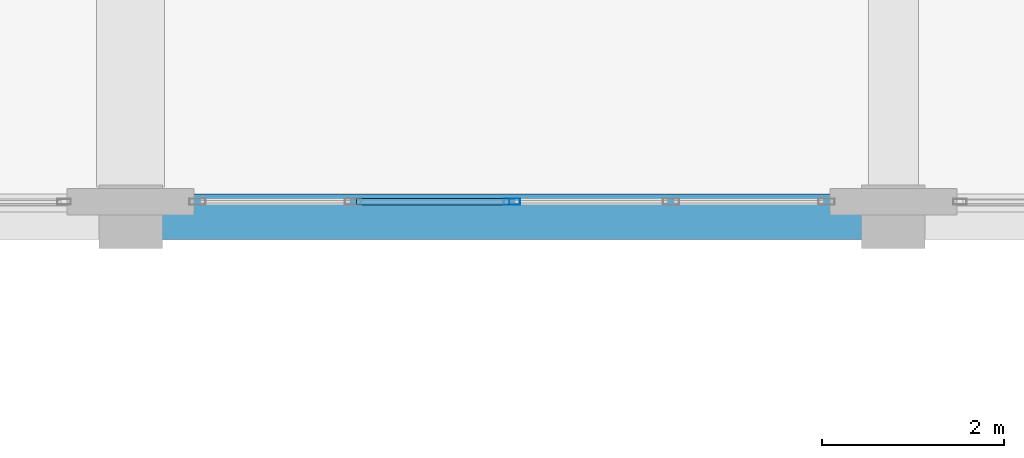
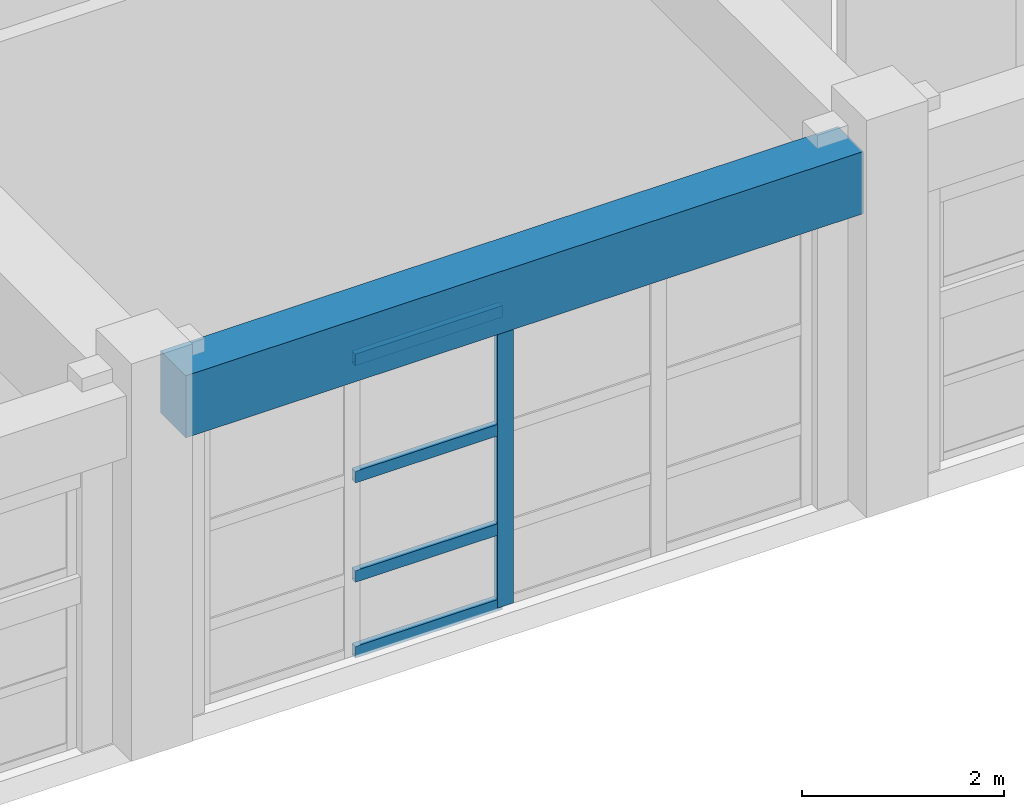
# One storey, part 51 of 123: 5 members, 1 beam, 1 element without a shape of its own.
"""IFC4 building model written with IfcOpenShell, lengths in metres."""

from ifc_helpers import new_model, si_unit, direction, frame, origin, origin_2d, place, context, subcontext, project, spatial, rectangle, hollow_rectangle, extrude, material, layer, layer_set, material_profile, profile_set, type_object, element, aggregate, save


model = new_model("IFC4")

# Units and contexts
model_context = context("Model", 3, precision=1e-05, world=origin(), true_north=direction((0.0, 1.0)))
body_context = subcontext(model_context, "Body", "Model", "MODEL_VIEW")
ifc_project = project(units=[si_unit("LENGTHUNIT", "METRE"), si_unit("AREAUNIT", "SQUARE_METRE"), si_unit("VOLUMEUNIT", "CUBIC_METRE"), si_unit("PLANEANGLEUNIT", "RADIAN"), si_unit("MASSUNIT", "GRAM", prefix="KILO")], contexts=[model_context])

# Site, building, storey
site_placement = place(None, origin())
site = spatial("IfcSite", under=ifc_project, at=site_placement, CompositionType="ELEMENT")
building_placement = place(site_placement, origin())
building = spatial("IfcBuilding", under=site, at=building_placement, Name="Quendrovan Civic Courthouse", CompositionType="ELEMENT")
storey_placement = place(building_placement, frame((0.0, 0.0, 5.39990234375)))
storey = spatial("IfcBuildingStorey", under=building, at=storey_placement, Name="L02", CompositionType="ELEMENT", Elevation=5.39990234375)

# Beam
ifc_material_1 = material(Name="Concrete C40/50", Category="concrete")
ifc_material_profile_1 = material_profile(ifc_material_1, rectangle(XDim=0.5, YDim=0.75, at=origin_2d()), Name="RC-BM-500x750")
ifc_profile_set_1 = profile_set([ifc_material_profile_1], Name="Concrete C40/50")
beam_type = type_object("IfcBeamType", Name="BM-RC750", PredefinedType="SPANDREL", material=ifc_profile_set_1)
beam_placement = place(storey_placement, frame((75.929931640625, 64.800048828125, 3.985107421875), z_axis=(1.0, 0.0, 0.0), x_axis=(0.0, 1.0, 0.0)))
element("IfcBeam", 1, at=beam_placement, inside=storey, type_object=beam_type, Name="L02 Girder X0535", PredefinedType="SPANDREL", context=body_context, shape_type="SweptSolid", body=[
    extrude(rectangle(XDim=0.5, YDim=0.75, at=origin_2d()), origin(), (0.0, 0.0, 1.0), 7.739990234375),
])

# Curtain wall, members
ifc_material_2 = material(Name="Bronze anodised aluminium and low-E glass", Category="aluminium")
ifc_layer = layer(ifc_material_2, 0.179931640625, Name="Bronze anodised aluminium and low-E glass")
ifc_layer_set = layer_set([ifc_layer], Name="Bronze anodised aluminium and low-E glass")
curtain_wall_type = type_object("IfcCurtainWallType", Name="CW-U70x36", PredefinedType="USERDEFINED", material=ifc_layer_set)
curtain_wall_placement = place(storey_placement, origin())
curtain_wall = element("IfcCurtainWall", 2, at=curtain_wall_placement, inside=storey, type_object=curtain_wall_type, Name="L02 Unitised Hurricane Curtain Wall CW-108", ObjectType="UNITISED CURTAIN WALL", PredefinedType="USERDEFINED")
ifc_material_3 = material(Name="Bronze anodised aluminium", Category="aluminium")
ifc_material_profile_2 = material_profile(ifc_material_3, hollow_rectangle(XDim=0.070068359375, YDim=0.179931640625, WallThickness=0.00390625, at=origin_2d()), Name="CW-MULL-70x180")
ifc_profile_set_2 = profile_set([ifc_material_profile_2], Name="Bronze anodised aluminium")
member_type_1 = type_object("IfcMemberType", Name="CW-MULL-A", PredefinedType="MULLION", material=ifc_profile_set_2)
member_1_placement = place(storey_placement, frame((79.800048828125, 64.965087890625, 0.0), z_axis=(0.0, 0.0, 1.0), x_axis=(0.0, -1.0, 0.0)))
member_1 = element("IfcMember", 3, at=member_1_placement, type_object=member_type_1, Name="CW-108 mullion 3", PredefinedType="MULLION", context=body_context, shape_type="SweptSolid", body=[
    extrude(hollow_rectangle(XDim=0.070068359375, YDim=0.179931640625, WallThickness=0.00390625, at=origin_2d()), origin(), (0.0, 0.0, 1.0), 3.60009765625),
])
ifc_material_profile_3 = material_profile(ifc_material_3, hollow_rectangle(XDim=0.070068359375, YDim=0.139892578125, WallThickness=0.00390625, at=origin_2d()), Name="CW-TRAN-70x140")
ifc_profile_set_3 = profile_set([ifc_material_profile_3], Name="Bronze anodised aluminium")
member_type_2 = type_object("IfcMemberType", Name="CW-TRAN-A", PredefinedType="USERDEFINED", material=ifc_profile_set_3)
member_2_placement = place(storey_placement, frame((79.764892578125, 64.965087890625, 0.03515625), z_axis=(-1.0, 0.0, 0.0), x_axis=(0.0, -1.0, 0.0)))
member_2 = element("IfcMember", 4, at=member_2_placement, type_object=member_type_2, Name="CW-108 transom 3.1", ObjectType="TRANSOM", PredefinedType="USERDEFINED", context=body_context, shape_type="SweptSolid", body=[
    extrude(hollow_rectangle(XDim=0.070068359375, YDim=0.139892578125, WallThickness=0.00390625, at=origin_2d()), origin(), (0.0, 0.0, 1.0), 1.679931640625),
])
member_3_placement = place(storey_placement, frame((79.764892578125, 64.965087890625, 0.9501953125), z_axis=(-1.0, 0.0, 0.0), x_axis=(0.0, -1.0, 0.0)))
member_3 = element("IfcMember", 5, at=member_3_placement, type_object=member_type_2, Name="CW-108 transom 3.2", ObjectType="TRANSOM", PredefinedType="USERDEFINED", context=body_context, shape_type="SweptSolid", body=[
    extrude(hollow_rectangle(XDim=0.070068359375, YDim=0.139892578125, WallThickness=0.00390625, at=origin_2d()), origin(), (0.0, 0.0, 1.0), 1.679931640625),
])
member_4_placement = place(storey_placement, frame((79.764892578125, 64.965087890625, 2.150146484375), z_axis=(-1.0, 0.0, 0.0), x_axis=(0.0, -1.0, 0.0)))
member_4 = element("IfcMember", 6, at=member_4_placement, type_object=member_type_2, Name="CW-108 transom 3.3", ObjectType="TRANSOM", PredefinedType="USERDEFINED", context=body_context, shape_type="SweptSolid", body=[
    extrude(hollow_rectangle(XDim=0.070068359375, YDim=0.139892578125, WallThickness=0.00390625, at=origin_2d()), origin(), (0.0, 0.0, 1.0), 1.679931640625),
])
member_5_placement = place(storey_placement, frame((79.764892578125, 64.965087890625, 3.565185546875), z_axis=(-1.0, 0.0, 0.0), x_axis=(0.0, -1.0, 0.0)))
member_5 = element("IfcMember", 7, at=member_5_placement, type_object=member_type_2, Name="CW-108 transom 3.4", ObjectType="TRANSOM", PredefinedType="USERDEFINED", context=body_context, shape_type="SweptSolid", body=[
    extrude(hollow_rectangle(XDim=0.070068359375, YDim=0.139892578125, WallThickness=0.00390625, at=origin_2d()), origin(), (0.0, 0.0, 1.0), 1.679931640625),
])
aggregate(curtain_wall, [member_1, member_2, member_3, member_4, member_5])

save(model, "model.ifc")
